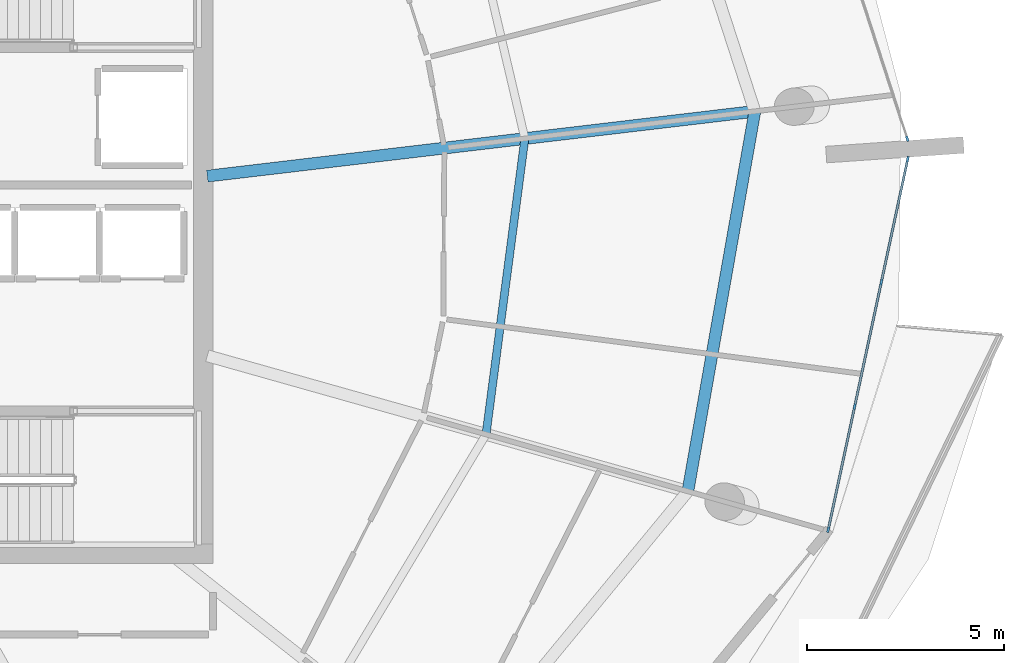
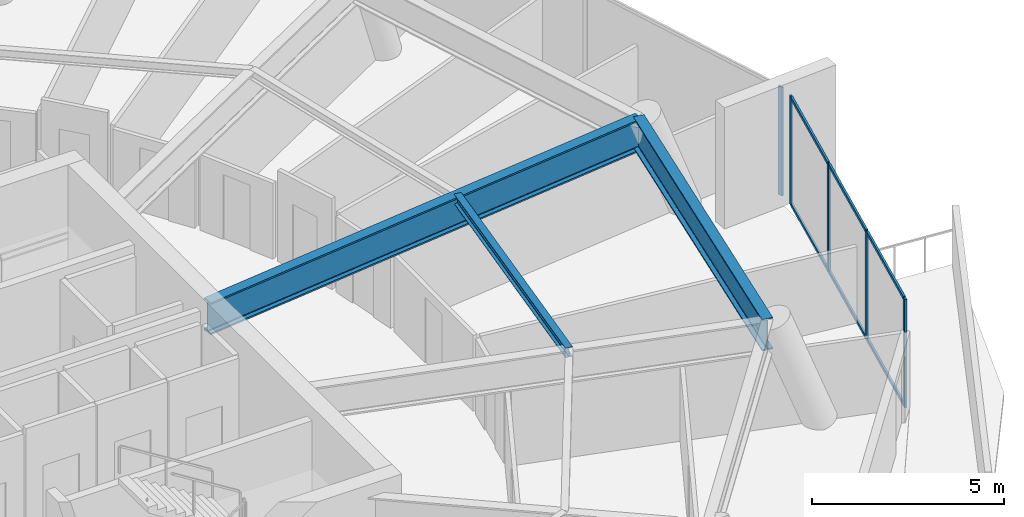
# One storey, part 10 of 27: 11 members, 3 beams, 2 elements without a shape of their own.
"""IFC4 building model written with IfcOpenShell, lengths in metres."""

from ifc_helpers import new_model, si_unit, direction, frame, origin, origin_2d, place, context, subcontext, project, spatial, rectangle, i_section, extrude, material, layer, layer_set, material_profile, profile_set, type_object, element, aggregate, save


model = new_model("IFC4")

# Units and contexts
model_context = context("Model", 3, precision=1e-05, world=origin(), true_north=direction((0.0, 1.0)))
body_context = subcontext(model_context, "Body", "Model", "MODEL_VIEW")
ifc_project = project(units=[si_unit("LENGTHUNIT", "METRE"), si_unit("AREAUNIT", "SQUARE_METRE"), si_unit("VOLUMEUNIT", "CUBIC_METRE"), si_unit("PLANEANGLEUNIT", "RADIAN"), si_unit("MASSUNIT", "GRAM", prefix="KILO")], contexts=[model_context])

# Site, building, storey
site_placement = place(None, origin())
site = spatial("IfcSite", under=ifc_project, at=site_placement, CompositionType="ELEMENT")
building_placement = place(site_placement, origin())
building = spatial("IfcBuilding", under=site, at=building_placement, Name="Kazma Halo Residences", CompositionType="ELEMENT")
storey_placement = place(building_placement, frame((0.0, 0.0, 306.0)))
storey = spatial("IfcBuildingStorey", under=building, at=storey_placement, Name="L77", CompositionType="ELEMENT", Elevation=306.0)

# Beams
ifc_material_1 = material(Name="Steel S355", Category="steel")
ifc_material_profile_1 = material_profile(ifc_material_1, i_section(OverallWidth=0.202880859375, OverallDepth=0.302978515625, WebThickness=0.007568359375, FlangeThickness=0.01318359375, FilletRadius=0.013916015625, at=origin_2d()), Name="W310x60")
ifc_profile_set_1 = profile_set([ifc_material_profile_1], Name="Steel S355")
beam_type_1 = type_object("IfcBeamType", Name="BM-SEC-W310A", PredefinedType="JOIST", material=ifc_profile_set_1)
beam_1_placement = place(storey_placement, frame((66.4833984375, 36.787109375, 3.298583984375), z_axis=(0.130214623858, 0.991485830324, 0.0), x_axis=(-0.991485830324, 0.130214623858, 0.0)))
element("IfcBeam", 1, at=beam_1_placement, inside=storey, type_object=beam_type_1, Name="L77 circumferential floor joist 15", PredefinedType="JOIST", context=body_context, shape_type="SweptSolid", body=[
    extrude(i_section(OverallWidth=0.202880859375, OverallDepth=0.302978515625, WebThickness=0.007568359375, FlangeThickness=0.01318359375, FilletRadius=0.013916015625, at=origin_2d()), origin(), (0.0, 0.0, 1.0), 7.58203125),
])
ifc_material_profile_2 = material_profile(ifc_material_1, i_section(OverallWidth=0.302001953125, OverallDepth=1.01806640625, WebThickness=0.021484375, FlangeThickness=0.049072265625, FilletRadius=0.028076171875, at=origin_2d()), Name="W1000x443")
ifc_profile_set_2 = profile_set([ifc_material_profile_2], Name="Steel S355")
beam_type_2 = type_object("IfcBeamType", Name="BM-TRANS-W1000A", PredefinedType="BEAM", material=ifc_profile_set_2)
beam_2_placement = place(storey_placement, frame((59.39990234375, 43.349365234375, 2.94091796875), z_axis=(0.993068537297, 0.117536718645, 0.0), x_axis=(-0.117536718645, 0.993068537297, 0.0)))
element("IfcBeam", 2, at=beam_2_placement, inside=storey, type_object=beam_type_2, Name="L77 podium radial transfer girder 16", PredefinedType="BEAM", context=body_context, shape_type="SweptSolid", body=[
    extrude(i_section(OverallWidth=0.302001953125, OverallDepth=1.01806640625, WebThickness=0.021484375, FlangeThickness=0.049072265625, FilletRadius=0.028076171875, at=origin_2d()), origin(), (0.0, 0.0, 1.0), 14.012451171875),
])
ifc_material_profile_3 = material_profile(ifc_material_1, i_section(OverallWidth=0.300048828125, OverallDepth=1.0, WebThickness=0.01904296875, FlangeThickness=0.0400390625, FilletRadius=0.02587890625, at=origin_2d()), Name="W1000x371")
ifc_profile_set_3 = profile_set([ifc_material_profile_3], Name="Steel S355")
beam_type_3 = type_object("IfcBeamType", Name="BM-TRANS-W1000B", PredefinedType="BEAM", material=ifc_profile_set_3)
beam_3_placement = place(storey_placement, frame((71.612548828125, 35.340576171875, 2.949951171875), z_axis=(0.173654647616, 0.984806612164, 0.0), x_axis=(-0.984806612164, 0.173654647616, 0.0)))
element("IfcBeam", 3, at=beam_3_placement, inside=storey, type_object=beam_type_3, Name="L77 perimeter ring beam 15", PredefinedType="BEAM", context=body_context, shape_type="SweptSolid", body=[
    extrude(i_section(OverallWidth=0.300048828125, OverallDepth=1.0, WebThickness=0.01904296875, FlangeThickness=0.0400390625, FilletRadius=0.02587890625, at=origin_2d()), origin(), (0.0, 0.0, 1.0), 9.8046875),
])

# Curtain wall, members
ifc_material_2 = material(Name="Aluminium AW-6063 T6 and Triple-Silver Low-E Glass", Category="aluminium")
ifc_layer = layer(ifc_material_2, 0.139892578125)
ifc_layer_set = layer_set([ifc_layer], Name="Aluminium AW-6063 T6 and Triple-Silver Low-E Glass")
curtain_wall_type = type_object("IfcCurtainWallType", Name="CW-SYS-5", PredefinedType="NOTDEFINED", material=ifc_layer_set)
curtain_wall_1_placement = place(storey_placement, origin())
curtain_wall_1 = element("IfcCurtainWall", 4, at=curtain_wall_1_placement, inside=storey, type_object=curtain_wall_type, Name="L77 unitised curtain wall B15", PredefinedType="NOTDEFINED")
ifc_material_3 = material(Name="Aluminium AW-6063 T6", Category="aluminium")
ifc_material_profile_4 = material_profile(ifc_material_3, rectangle(XDim=0.06005859375, YDim=0.139892578125, at=origin_2d()), Name="CWM-60x140")
ifc_profile_set_4 = profile_set([ifc_material_profile_4], Name="Aluminium AW-6063 T6")
member_type_1 = type_object("IfcMemberType", Name="CW-SYS-5-MUL", PredefinedType="MULLION", material=ifc_profile_set_4)
member_1_placement = place(storey_placement, frame((75.179931640625, 34.365478515625, 0.0), z_axis=(0.0, 0.0, 1.0), x_axis=(-0.977770842805, 0.209676367197, 0.0)))
member_1 = element("IfcMember", 5, at=member_1_placement, type_object=member_type_1, Name="CWS-5 mullion 1", PredefinedType="MULLION", context=body_context, shape_type="SweptSolid", body=[
    extrude(rectangle(XDim=0.06005859375, YDim=0.139892578125, at=origin_2d()), origin(), (0.0, 0.0, 1.0), 3.449951171875),
])
member_2_placement = place(storey_placement, frame((75.85107421875, 37.494873046875, 0.0), z_axis=(0.0, 0.0, 1.0), x_axis=(-0.977770842805, 0.209676367197, 0.0)))
member_2 = element("IfcMember", 6, at=member_2_placement, type_object=member_type_1, Name="CWS-5 mullion 2", PredefinedType="MULLION", context=body_context, shape_type="SweptSolid", body=[
    extrude(rectangle(XDim=0.06005859375, YDim=0.139892578125, at=origin_2d()), origin(), (0.0, 0.0, 1.0), 3.449951171875),
])
member_3_placement = place(storey_placement, frame((76.5283203125, 40.6533203125, 0.0), z_axis=(0.0, 0.0, 1.0), x_axis=(-0.977770842805, 0.209676367197, 0.0)))
member_3 = element("IfcMember", 7, at=member_3_placement, type_object=member_type_1, Name="CWS-5 mullion 3", PredefinedType="MULLION", context=body_context, shape_type="SweptSolid", body=[
    extrude(rectangle(XDim=0.06005859375, YDim=0.139892578125, at=origin_2d()), origin(), (0.0, 0.0, 1.0), 3.449951171875),
])
member_4_placement = place(storey_placement, frame((77.199462890625, 43.782470703125, 0.0), z_axis=(0.0, 0.0, 1.0), x_axis=(-0.977770842805, 0.209676367197, 0.0)))
member_4 = element("IfcMember", 8, at=member_4_placement, type_object=member_type_1, Name="CWS-5 mullion 4", PredefinedType="MULLION", context=body_context, shape_type="SweptSolid", body=[
    extrude(rectangle(XDim=0.06005859375, YDim=0.139892578125, at=origin_2d()), origin(), (0.0, 0.0, 1.0), 3.449951171875),
])

# Curtain wall, member
curtain_wall_2_placement = place(storey_placement, origin())
curtain_wall_2 = element("IfcCurtainWall", 9, at=curtain_wall_2_placement, inside=storey, type_object=curtain_wall_type, Name="L77 unitised curtain wall B16", PredefinedType="NOTDEFINED")
member_5_placement = place(storey_placement, frame((77.188720703125, 44.30078125, 0.0), z_axis=(0.0, 0.0, 1.0), x_axis=(-0.951056985452, -0.309015550455, 0.0)))
member_5 = element("IfcMember", 10, at=member_5_placement, type_object=member_type_1, Name="CWS-5 mullion 1", PredefinedType="MULLION", context=body_context, shape_type="SweptSolid", body=[
    extrude(rectangle(XDim=0.06005859375, YDim=0.139892578125, at=origin_2d()), origin(), (0.0, 0.0, 1.0), 3.449951171875),
])
aggregate(curtain_wall_2, [member_5])

# Member
ifc_material_profile_5 = material_profile(ifc_material_3, rectangle(XDim=0.06005859375, YDim=0.10498046875, at=origin_2d()), Name="CWT-60x105")
ifc_profile_set_5 = profile_set([ifc_material_profile_5], Name="Aluminium AW-6063 T6")
member_type_2 = type_object("IfcMemberType", Name="CW-SYS-5-TRN", PredefinedType="USERDEFINED", material=ifc_profile_set_5)
member_6_placement = place(storey_placement, frame((75.186279296875, 34.394775390625, 0.030029296875), z_axis=(0.20967243669, 0.977771685667, 0.0), x_axis=(-0.977771685667, 0.20967243669, 0.0)))
member_6 = element("IfcMember", 11, at=member_6_placement, type_object=member_type_2, Name="CWS-5 transom 1.1", ObjectType="TRANSOM", PredefinedType="USERDEFINED", context=body_context, shape_type="SweptSolid", body=[
    extrude(rectangle(XDim=0.06005859375, YDim=0.10498046875, at=origin_2d()), origin(), (0.0, 0.0, 1.0), 3.140380859375),
])

member_7_placement = place(storey_placement, frame((75.186279296875, 34.394775390625, 3.419921875), z_axis=(0.20967243669, 0.977771685667, 0.0), x_axis=(-0.977771685667, 0.20967243669, 0.0)))
member_7 = element("IfcMember", 12, at=member_7_placement, type_object=member_type_2, Name="CWS-5 transom 1.2", ObjectType="TRANSOM", PredefinedType="USERDEFINED", context=body_context, shape_type="SweptSolid", body=[
    extrude(rectangle(XDim=0.06005859375, YDim=0.10498046875, at=origin_2d()), origin(), (0.0, 0.0, 1.0), 3.140380859375),
])

member_8_placement = place(storey_placement, frame((75.857421875, 37.524169921875, 0.030029296875), z_axis=(0.209618493424, 0.977783251654, 0.0), x_axis=(-0.977783251654, 0.209618493424, 0.0)))
member_8 = element("IfcMember", 13, at=member_8_placement, type_object=member_type_2, Name="CWS-5 transom 2.1", ObjectType="TRANSOM", PredefinedType="USERDEFINED", context=body_context, shape_type="SweptSolid", body=[
    extrude(rectangle(XDim=0.06005859375, YDim=0.10498046875, at=origin_2d()), origin(), (0.0, 0.0, 1.0), 3.170166015625),
])

member_9_placement = place(storey_placement, frame((75.857421875, 37.524169921875, 3.419921875), z_axis=(0.209618493424, 0.977783251654, 0.0), x_axis=(-0.977783251654, 0.209618493424, 0.0)))
member_9 = element("IfcMember", 14, at=member_9_placement, type_object=member_type_2, Name="CWS-5 transom 2.2", ObjectType="TRANSOM", PredefinedType="USERDEFINED", context=body_context, shape_type="SweptSolid", body=[
    extrude(rectangle(XDim=0.06005859375, YDim=0.10498046875, at=origin_2d()), origin(), (0.0, 0.0, 1.0), 3.170166015625),
])

member_10_placement = place(storey_placement, frame((76.53466796875, 40.6826171875, 0.030029296875), z_axis=(0.20967243669, 0.977771685667, 0.0), x_axis=(-0.977771685667, 0.20967243669, 0.0)))
member_10 = element("IfcMember", 15, at=member_10_placement, type_object=member_type_2, Name="CWS-5 transom 3.1", ObjectType="TRANSOM", PredefinedType="USERDEFINED", context=body_context, shape_type="SweptSolid", body=[
    extrude(rectangle(XDim=0.06005859375, YDim=0.10498046875, at=origin_2d()), origin(), (0.0, 0.0, 1.0), 3.140380859375),
])

member_11_placement = place(storey_placement, frame((76.53466796875, 40.6826171875, 3.419921875), z_axis=(0.20967243669, 0.977771685667, 0.0), x_axis=(-0.977771685667, 0.20967243669, 0.0)))
member_11 = element("IfcMember", 16, at=member_11_placement, type_object=member_type_2, Name="CWS-5 transom 3.2", ObjectType="TRANSOM", PredefinedType="USERDEFINED", context=body_context, shape_type="SweptSolid", body=[
    extrude(rectangle(XDim=0.06005859375, YDim=0.10498046875, at=origin_2d()), origin(), (0.0, 0.0, 1.0), 3.140380859375),
])

aggregate(curtain_wall_1, [member_1, member_2, member_3, member_4, member_6, member_7, member_8, member_9, member_10, member_11])

save(model, "model.ifc")
